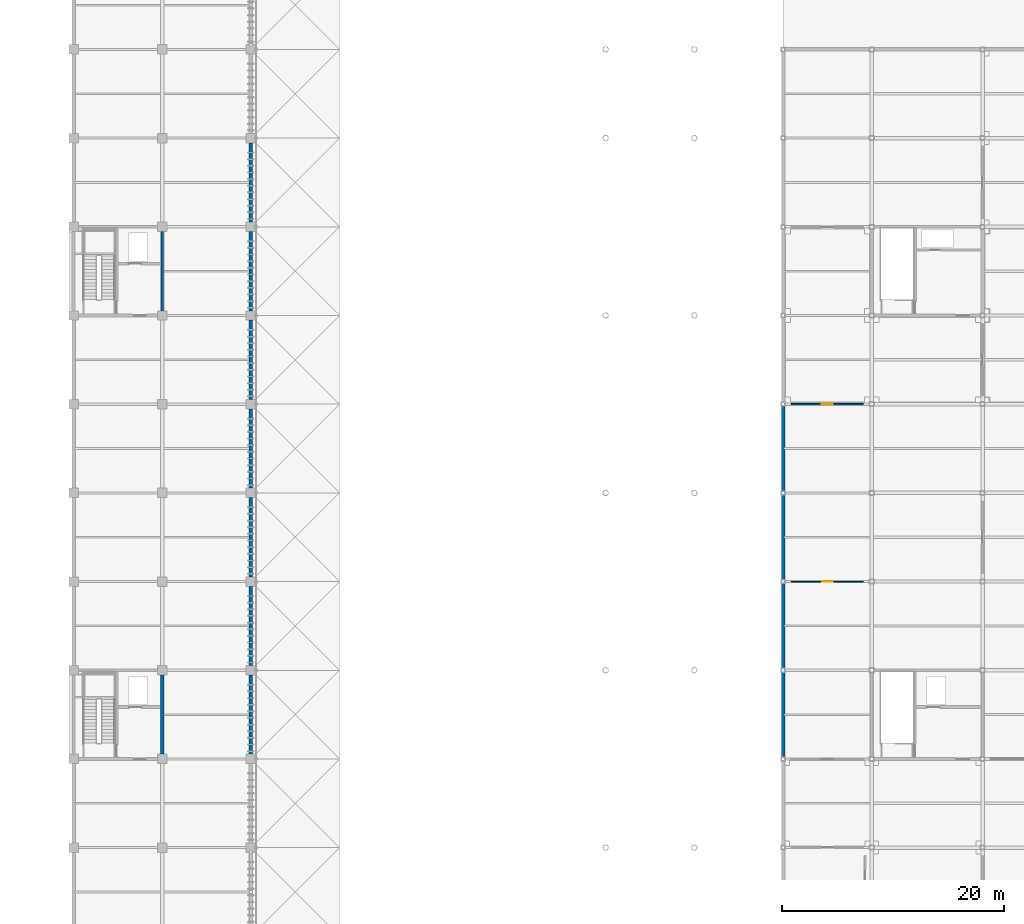
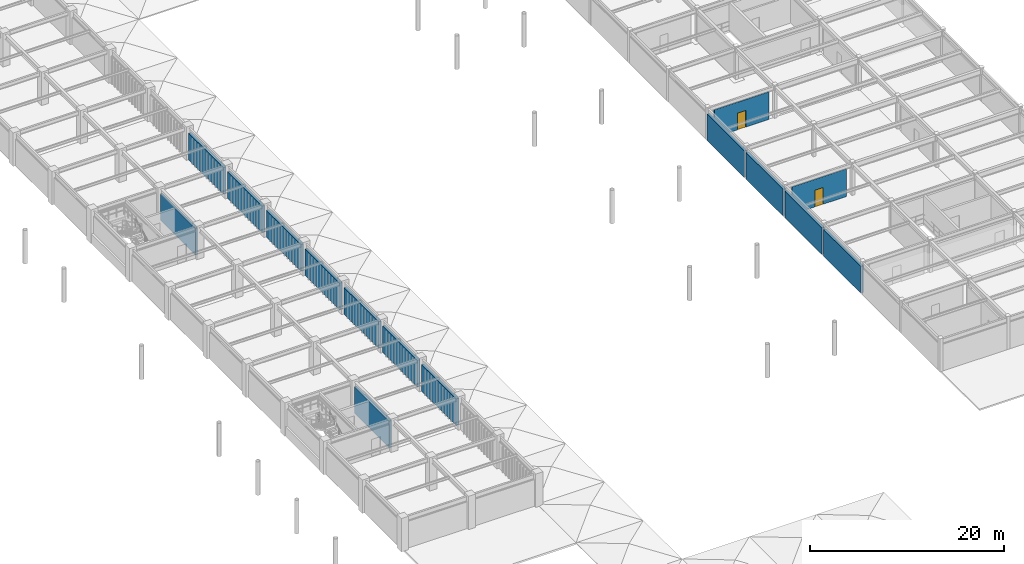
# One storey, part 57 of 78: 15 walls, 2 doors, 2 openings.
"""IFC4 building model written with IfcOpenShell, lengths in metres."""

from ifc_helpers import new_model, si_unit, direction, frame, frame_2d, origin, place, context, subcontext, project, spatial, rectangle, extrude, material, layer, layer_set, type_object, element, fill, save


model = new_model("IFC4")

# Units and contexts
model_context = context("Model", 3, precision=1e-05, world=origin(), true_north=direction((0.0, 1.0)))
body_context = subcontext(model_context, "Body", "Model", "MODEL_VIEW")
ifc_project = project(units=[si_unit("LENGTHUNIT", "METRE"), si_unit("AREAUNIT", "SQUARE_METRE"), si_unit("VOLUMEUNIT", "CUBIC_METRE"), si_unit("PLANEANGLEUNIT", "RADIAN"), si_unit("MASSUNIT", "GRAM", prefix="KILO")], contexts=[model_context])

# Site, building, storey
site_placement = place(None, origin())
site = spatial("IfcSite", under=ifc_project, at=site_placement, CompositionType="ELEMENT")
building_placement = place(site_placement, origin())
building = spatial("IfcBuilding", under=site, at=building_placement, Name="Haebicheon Civic Stadium", CompositionType="ELEMENT")
storey_placement = place(building_placement, frame((0.0, 0.0, 18.60009765625)))
storey = spatial("IfcBuildingStorey", under=building, at=storey_placement, Name="L05", CompositionType="ELEMENT", Elevation=18.60009765625)

# Walls
ifc_material_1 = material(Name="Concrete C40/50", Category="concrete")
ifc_layer_1 = layer(ifc_material_1, 0.239990234375, Name="Concrete C40/50")
ifc_layer_set_1 = layer_set([ifc_layer_1], Name="Concrete C40/50")
wall_type_1 = type_object("IfcWallType", Name="CW-SHR-240", PredefinedType="SHEAR", material=ifc_layer_set_1)
wall_1_placement = place(storey_placement, frame((152.0, 104.425048828125, 0.0), z_axis=(0.0, 0.0, 1.0), x_axis=(0.0, 1.0, 0.0)))
element("IfcWall", 1, at=wall_1_placement, inside=storey, type_object=wall_type_1, material=ifc_layer_set_1, Name="KC-11 L05 east core shear wall", PredefinedType="SHEAR", context=body_context, shape_type="SweptSolid", body=[
    extrude(rectangle(XDim=7.14990234375, YDim=0.239990234375, at=frame_2d((3.574951171875, 0.0))), origin(), (0.0, 0.0, 1.0), 3.33984375),
])
ifc_material_2 = material(Name="Concrete C40/50", Category="concrete")
ifc_layer_2 = layer(ifc_material_2, 0.300048828125, Name="Concrete C40/50")
ifc_layer_set_2 = layer_set([ifc_layer_2], Name="Concrete C40/50")
wall_type_2 = type_object("IfcWallType", Name="CW-SHR-300", PredefinedType="SHEAR", material=ifc_layer_set_2)
wall_2_placement = place(storey_placement, frame((152.0, 64.425048828125, 0.0), z_axis=(0.0, 0.0, 1.0), x_axis=(0.0, 1.0, 0.0)))
element("IfcWall", 2, at=wall_2_placement, inside=storey, type_object=wall_type_2, material=ifc_layer_set_2, Name="KC-10 L05 east core shear wall", PredefinedType="SHEAR", context=body_context, shape_type="SweptSolid", body=[
    extrude(rectangle(XDim=7.14990234375, YDim=0.300048828125, at=frame_2d((3.574951171875, 0.0))), origin(), (0.0, 0.0, 1.0), 3.33984375),
])
ifc_material_3 = material(Name="Precast concrete C40/50", Category="concrete")
ifc_layer_3 = layer(ifc_material_3, 0.320068359375, Name="Precast concrete C40/50")
ifc_layer_set_3 = layer_set([ifc_layer_3], Name="Precast concrete C40/50")
wall_type_3 = type_object("IfcWallType", Name="EW-BM-320", PredefinedType="SOLIDWALL", material=ifc_layer_set_3)
for number, where, z_axis, x_axis, name in (
    (3, (160.0, 64.425048828125, 0.0), (0.0, 0.0, 1.0), (0.0, 1.0, 0.0), "L05 board-marked concrete facade wall 20-08-E"),
    (4, (160.0, 72.425048828125, 0.0), (0.0, 0.0, 1.0), (0.0, 1.0, 0.0), "L05 board-marked concrete facade wall 20-09-E"),
    (5, (160.0, 80.425048828125, 0.0), (0.0, 0.0, 1.0), (0.0, 1.0, 0.0), "L05 board-marked concrete facade wall 20-10-E"),
    (6, (160.0, 88.425048828125, 0.0), (0.0, 0.0, 1.0), (0.0, 1.0, 0.0), "L05 board-marked concrete facade wall 20-11-E"),
    (7, (160.0, 96.425048828125, 0.0), (0.0, 0.0, 1.0), (0.0, 1.0, 0.0), "L05 board-marked concrete facade wall 20-12-E"),
    (8, (160.0, 104.425048828125, 0.0), (0.0, 0.0, 1.0), (0.0, 1.0, 0.0), "L05 board-marked concrete facade wall 20-13-E"),
    (9, (160.0, 112.425048828125, 0.0), (0.0, 0.0, 1.0), (0.0, 1.0, 0.0), "L05 board-marked concrete facade wall 20-14-E"),
):
    element("IfcWall", number, at=place(storey_placement, frame(where, z_axis=z_axis, x_axis=x_axis)), inside=storey, type_object=wall_type_3, material=ifc_layer_set_3, Name=name, PredefinedType="SOLIDWALL", context=body_context, shape_type="SweptSolid", body=[
        extrude(rectangle(XDim=7.14990234375, YDim=0.320068359375, at=frame_2d((3.574951171875, 0.0))), origin(), (0.0, 0.0, 1.0), 3.33984375),
    ])
for number, where, z_axis, x_axis, name in (
    (10, (208.0, 64.175048828125, 0.0), (0.0, 0.0, 1.0), (0.0, 1.0, 0.0), "L05 board-marked concrete facade wall 26-08-W"),
    (11, (208.0, 72.175048828125, 0.0), (0.0, 0.0, 1.0), (0.0, 1.0, 0.0), "L05 board-marked concrete facade wall 26-09-W"),
    (12, (208.0, 80.175048828125, 0.0), (0.0, 0.0, 1.0), (0.0, 1.0, 0.0), "L05 board-marked concrete facade wall 26-10-W"),
    (13, (208.0, 88.175048828125, 0.0), (0.0, 0.0, 1.0), (0.0, 1.0, 0.0), "L05 board-marked concrete facade wall 26-11-W"),
):
    element("IfcWall", number, at=place(storey_placement, frame(where, z_axis=z_axis, x_axis=x_axis)), inside=storey, type_object=wall_type_3, material=ifc_layer_set_3, Name=name, PredefinedType="SOLIDWALL", context=body_context, shape_type="SweptSolid", body=[
        extrude(rectangle(XDim=7.64990234375, YDim=0.320068359375, at=frame_2d((3.824951171875, 0.0))), origin(), (0.0, 0.0, 1.0), 3.349853515625),
    ])

# Wall, opening, door
ifc_material_4 = material(Name="Anodised aluminium and laminated glass", Category="aluminium")
ifc_layer_4 = layer(ifc_material_4, 0.10009765625, Name="Anodised aluminium and laminated glass")
ifc_layer_set_4 = layer_set([ifc_layer_4], Name="Anodised aluminium and laminated glass")
wall_type_4 = type_object("IfcWallType", Name="IW-PRT-100", PredefinedType="PARTITIONING", material=ifc_layer_set_4)
wall_3_placement = place(storey_placement, frame((208.75, 80.0, 0.0), z_axis=(0.0, 0.0, 1.0), x_axis=(1.0, 0.0, 0.0)))
wall_3 = element("IfcWall", 14, at=wall_3_placement, inside=storey, type_object=wall_type_4, material=ifc_layer_set_4, Name="L05 Timekeeping Announcer Booth partition wall", PredefinedType="PARTITIONING", context=body_context, shape_type="SweptSolid", body=[
    extrude(rectangle(XDim=6.5, YDim=0.10009765625, at=frame_2d((3.25, 0.0))), origin(), (0.0, 0.0, 1.0), 3.469970703125),
])
opening_1_placement = place(wall_3_placement, frame((2.77490234375, 0.0, 0.0)))
opening_1 = element("IfcOpeningElement", 15, at=opening_1_placement, cuts=wall_3, Name="Opening D-L05-439", PredefinedType="OPENING", context=body_context, shape_type="SweptSolid", body=[
    extrude(rectangle(XDim=0.949951171875, YDim=2.10009765625, at=frame_2d((0.47509765625, 1.050048828125))), frame((0.0, 0.06005859375, 0.0), z_axis=(0.0, -1.0, 0.0), x_axis=(1.0, 0.0, 0.0)), (0.0, 0.0, 1.0), 0.1201171875),
])
ifc_material_5 = material(Name="Engineered hardwood timber", Category="wood")
door_type_1 = type_object("IfcDoorType", Name="ID-RM-0950", OperationType="NOTDEFINED", PredefinedType="DOOR", material=ifc_material_5)
door_1_placement = place(opening_1_placement, origin())
door_1 = element("IfcDoor", 16, at=door_1_placement, inside=storey, type_object=door_type_1, material=ifc_material_5, Name="L05 Timekeeping Announcer Booth entrance door D-L05-439", OperationType="SINGLE_SWING_RIGHT", OverallHeight=2.10009765625, OverallWidth=0.949951171875, PredefinedType="DOOR", context=body_context, shape_type="SweptSolid", body=[
    extrude(rectangle(XDim=0.949951171875, YDim=2.10009765625, at=frame_2d((0.47509765625, 1.050048828125))), frame((0.0, 0.02490234375, 0.0), z_axis=(0.0, -1.0, 0.0), x_axis=(1.0, 0.0, 0.0)), (0.0, 0.0, 1.0), 0.050048828125),
])
fill(opening_1, door_1)

ifc_material_6 = material(Name="Gypsum plasterboard on steel studs", Category="gypsum")
ifc_layer_5 = layer(ifc_material_6, 0.1298828125, Name="Gypsum plasterboard on steel studs")
ifc_layer_set_5 = layer_set([ifc_layer_5], Name="Gypsum plasterboard on steel studs")
wall_type_5 = type_object("IfcWallType", Name="IW-PRT-130", PredefinedType="PARTITIONING", material=ifc_layer_set_5)
wall_4_placement = place(storey_placement, frame((208.75, 96.0, 0.0), z_axis=(0.0, 0.0, 1.0), x_axis=(1.0, 0.0, 0.0)))
wall_4 = element("IfcWall", 17, at=wall_4_placement, inside=storey, type_object=wall_type_5, material=ifc_layer_set_5, Name="L05 Community Stand Press Gallery partition wall", PredefinedType="PARTITIONING", context=body_context, shape_type="SweptSolid", body=[
    extrude(rectangle(XDim=6.5, YDim=0.1298828125, at=frame_2d((3.25, 0.0))), origin(), (0.0, 0.0, 1.0), 3.469970703125),
])
opening_2_placement = place(wall_4_placement, frame((2.75, 0.0, 0.0)))
opening_2 = element("IfcOpeningElement", 18, at=opening_2_placement, cuts=wall_4, Name="Opening D-L05-440", PredefinedType="OPENING", context=body_context, shape_type="SweptSolid", body=[
    extrude(rectangle(XDim=1.0, YDim=2.10009765625, at=frame_2d((0.5, 1.050048828125))), frame((0.0, 0.074951171875, 0.0), z_axis=(0.0, -1.0, 0.0), x_axis=(1.0, 0.0, 0.0)), (0.0, 0.0, 1.0), 0.14990234375),
])
ifc_material_7 = material(Name="Engineered hardwood timber", Category="wood")
door_type_2 = type_object("IfcDoorType", Name="ID-RM-1000", OperationType="NOTDEFINED", PredefinedType="DOOR", material=ifc_material_7)
door_2_placement = place(opening_2_placement, origin())
door_2 = element("IfcDoor", 19, at=door_2_placement, inside=storey, type_object=door_type_2, material=ifc_material_7, Name="L05 Community Stand Press Gallery entrance door D-L05-440", OperationType="SINGLE_SWING_LEFT", OverallHeight=2.10009765625, OverallWidth=1.0, PredefinedType="DOOR", context=body_context, shape_type="SweptSolid", body=[
    extrude(rectangle(XDim=1.0, YDim=2.10009765625, at=frame_2d((0.5, 1.050048828125))), frame((0.0, 0.02490234375, 0.0), z_axis=(0.0, -1.0, 0.0), x_axis=(1.0, 0.0, 0.0)), (0.0, 0.0, 1.0), 0.050048828125),
])
fill(opening_2, door_2)

save(model, "model.ifc")
